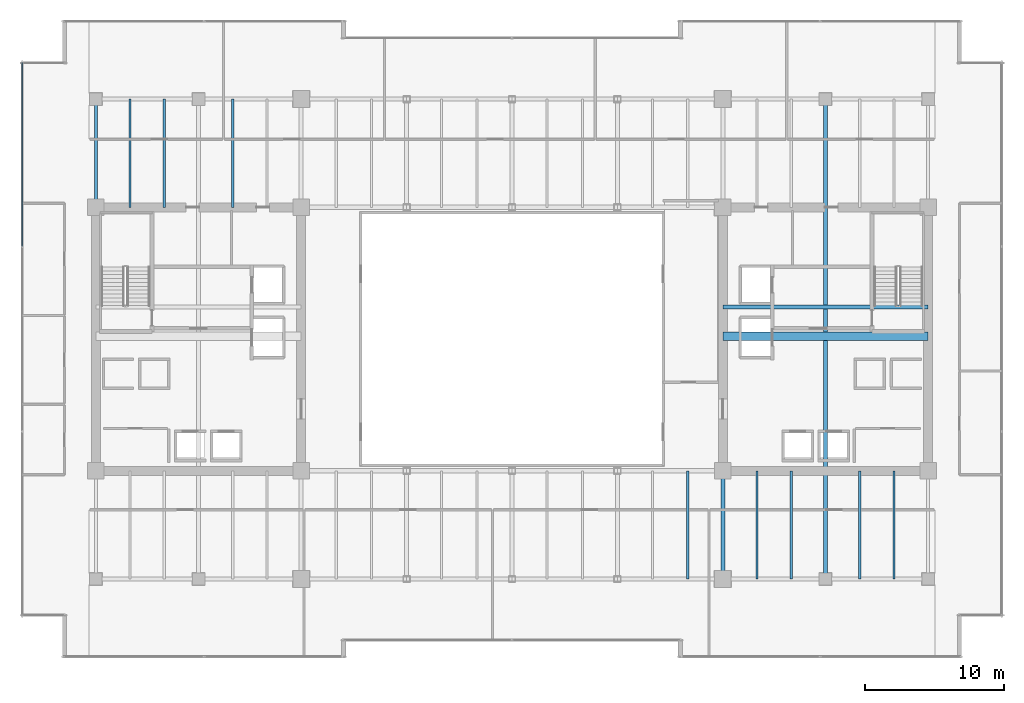
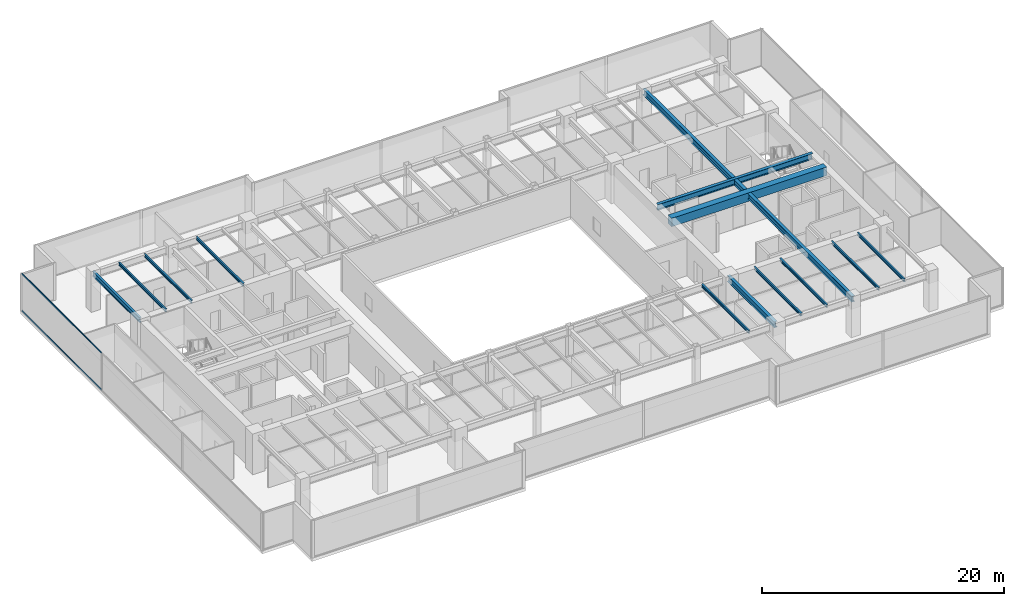
# One storey, part 13 of 34: 13 beams, 2 members, 1 element without a shape of its own.
"""IFC4 building model written with IfcOpenShell, lengths in metres."""

import ifcopenshell
import ifcopenshell.guid

model = None  # the IFC model being written
_history = None  # IfcOwnerHistory: only IFC2X3 demands one
_inside = {}  # id of a spatial element -> (the spatial element, [elements in it])
_under = {}  # id of a project, library or spatial element -> (it, [spatial elements below it])
_declared = {}  # id of a project -> (the project, [libraries it declares])
_typed = {}  # id of a type object -> (the type object, [elements of that type])
_made_of = {}  # id of a material, layer set ... -> (it, [elements and type objects made of it])


def new_model(schema):
    """Start an empty IFC model of exactly this schema.

    Asked for "IFC4X3", IfcOpenShell would pick the latest addendum, in which some entities
    have other attributes; the version numbers below select the first issue.
    IFC2X3 requires an IfcOwnerHistory on every rooted entity: one is made here for all.
    """
    global model, _history
    if schema == "IFC4X3":
        model = ifcopenshell.file(schema_version=(4, 3, 0, 0))
    else:
        model = ifcopenshell.file(schema=schema)
    _inside.clear()
    _under.clear()
    _declared.clear()
    _typed.clear()
    _made_of.clear()
    _history = None
    if model.schema == "IFC2X3":
        org = make("IfcOrganization", Name="unknown")
        user = make(
            "IfcPersonAndOrganization",
            ThePerson=make("IfcPerson", FamilyName="unknown"),
            TheOrganization=org,
        )
        app = make(
            "IfcApplication",
            ApplicationDeveloper=org,
            Version="unknown",
            ApplicationFullName="unknown",
            ApplicationIdentifier="unknown",
        )
        _history = make(
            "IfcOwnerHistory",
            OwningUser=user,
            OwningApplication=app,
            ChangeAction="ADDED",
            CreationDate=0,
        )
    return model


def make(cls, **values):
    """One entity of the class cls with the attributes given. An attribute that is None is left unset."""
    return model.create_entity(
        cls, **{name: value for name, value in values.items() if value is not None}
    )


def rooted(cls, **values):
    """An entity with a GlobalId (a new one), such as an element, a storey or a relation."""
    return make(cls, GlobalId=ifcopenshell.guid.new(), OwnerHistory=_history, **values)


def si_unit(unit_type, name, prefix=None):
    """IfcSIUnit, for example si_unit("LENGTHUNIT", "METRE", prefix="MILLI")."""
    return make("IfcSIUnit", UnitType=unit_type, Prefix=prefix, Name=name)


def assignment(units):
    """IfcUnitAssignment: the units of a project."""
    return None if units is None else make("IfcUnitAssignment", Units=units)


def point(xyz):
    """IfcCartesianPoint."""
    return None if xyz is None else make("IfcCartesianPoint", Coordinates=xyz)


def direction(xyz):
    """IfcDirection."""
    return None if xyz is None else make("IfcDirection", DirectionRatios=xyz)


def frame(location, z_axis=None, x_axis=None):
    """IfcAxis2Placement3D, a coordinate frame: its origin and axes. An axis left out is left unset."""
    return make(
        "IfcAxis2Placement3D",
        Location=point(location),
        Axis=direction(z_axis),
        RefDirection=direction(x_axis),
    )


def frame_2d(location, x_axis=None):
    """IfcAxis2Placement2D, a coordinate frame in the plane: its origin and x axis."""
    return make(
        "IfcAxis2Placement2D", Location=point(location), RefDirection=direction(x_axis)
    )


def origin():
    """The frame at (0, 0, 0) with its axes left unset."""
    return frame((0.0, 0.0, 0.0))


def origin_2d():
    """The frame at (0, 0) in the plane with its x axis left unset."""
    return frame_2d((0.0, 0.0))


def place(relative_to, where):
    """IfcLocalPlacement: puts the frame where relative to a parent placement (None: the world)."""
    return make(
        "IfcLocalPlacement", PlacementRelTo=relative_to, RelativePlacement=where
    )


def context(
    kind, dimensions, precision=None, world=None, true_north=None, identifier=None
):
    """IfcGeometricRepresentationContext, for example the 3D "Model" context."""
    return make(
        "IfcGeometricRepresentationContext",
        ContextIdentifier=identifier,
        ContextType=kind,
        CoordinateSpaceDimension=dimensions,
        Precision=precision,
        WorldCoordinateSystem=world,
        TrueNorth=true_north,
    )


def subcontext(parent, identifier, kind, view, scale=None):
    """IfcGeometricRepresentationSubContext, for example "Body" below "Model"."""
    return make(
        "IfcGeometricRepresentationSubContext",
        ContextIdentifier=identifier,
        ContextType=kind,
        ParentContext=parent,
        TargetScale=scale,
        TargetView=view,
    )


def project(units=None, contexts=None):
    """IfcProject with its units and contexts."""
    return rooted(
        "IfcProject",
        Name="project",
        RepresentationContexts=contexts,
        UnitsInContext=assignment(units),
    )


def spatial(cls, under=None, at=None, **own):
    """A site, building, storey or space (cls), placed at a placement, below another one or the project."""
    s = rooted(cls, ObjectPlacement=at, **own)
    if under is not None:
        _under.setdefault(under.id(), (under, []))[1].append(s)
    return s


def profile(cls, at=None, kind="AREA", **sizes):
    """A parametric profile (cls). Its sizes go by their IFC names, for example OverallWidth=200.0."""
    return make(cls, ProfileType=kind, Position=at, **sizes)


def rectangle(**sizes):
    """IfcRectangleProfileDef."""
    return profile("IfcRectangleProfileDef", **sizes)


def hollow_rectangle(**sizes):
    """IfcRectangleHollowProfileDef."""
    return profile("IfcRectangleHollowProfileDef", **sizes)


def i_section(**sizes):
    """IfcIShapeProfileDef."""
    return profile("IfcIShapeProfileDef", **sizes)


def extrude(swept, where, along, depth):
    """IfcExtrudedAreaSolid: the profile swept, set in the frame where, extruded along a direction by depth."""
    return make(
        "IfcExtrudedAreaSolid",
        SweptArea=swept,
        Position=where,
        ExtrudedDirection=direction(along),
        Depth=depth,
    )


def shape(context_of_items, identifier, shape_type, items):
    """IfcShapeRepresentation: the items that make up one representation, for example the "Body"."""
    return make(
        "IfcShapeRepresentation",
        ContextOfItems=context_of_items,
        RepresentationIdentifier=identifier,
        RepresentationType=shape_type,
        Items=items,
    )


def source(mapping_origin, context_of_items, identifier, shape_type, items):
    """IfcRepresentationMap: a shape defined once, which mapped items show again and again."""
    return make(
        "IfcRepresentationMap",
        MappingOrigin=mapping_origin,
        MappedRepresentation=shape(context_of_items, identifier, shape_type, items),
    )


def transform(
    local_origin,
    x_axis=None,
    y_axis=None,
    z_axis=None,
    scale=None,
    scale2=None,
    scale3=None,
    uniform=True,
):
    """IfcCartesianTransformationOperator3D, or its non-uniform kind. x_axis, y_axis, z_axis: its Axis1, 2, 3."""
    if uniform:
        return make(
            "IfcCartesianTransformationOperator3D",
            Axis1=direction(x_axis),
            Axis2=direction(y_axis),
            LocalOrigin=point(local_origin),
            Scale=scale,
            Axis3=direction(z_axis),
        )
    return make(
        "IfcCartesianTransformationOperator3DnonUniform",
        Axis1=direction(x_axis),
        Axis2=direction(y_axis),
        LocalOrigin=point(local_origin),
        Scale=scale,
        Axis3=direction(z_axis),
        Scale2=scale2,
        Scale3=scale3,
    )


def mapped(mapping_source, mapping_target):
    """IfcMappedItem: shows the shape of a source again, moved by a transform."""
    return make(
        "IfcMappedItem", MappingSource=mapping_source, MappingTarget=mapping_target
    )


def material(Name=None, Category=None):
    """IfcMaterial."""
    return make("IfcMaterial", Name=Name, Category=Category)


def layer(
    of_material, thickness, ventilated=None, Name=None, Category=None, Priority=None
):
    """IfcMaterialLayer: one layer of a wall or slab, of a material (None: an air gap)."""
    return make(
        "IfcMaterialLayer",
        Material=of_material,
        LayerThickness=thickness,
        IsVentilated=ventilated,
        Name=Name,
        Category=Category,
        Priority=Priority,
    )


def layer_set(layers, Name=None):
    """IfcMaterialLayerSet."""
    return make("IfcMaterialLayerSet", MaterialLayers=layers, LayerSetName=Name)


def material_profile(
    of_material, cross_section, Name=None, Category=None, Priority=None
):
    """IfcMaterialProfile: a cross section and its material."""
    return make(
        "IfcMaterialProfile",
        Name=Name,
        Material=of_material,
        Profile=cross_section,
        Priority=Priority,
        Category=Category,
    )


def profile_set(profiles, Name=None, composite=None):
    """IfcMaterialProfileSet."""
    return make(
        "IfcMaterialProfileSet",
        Name=Name,
        MaterialProfiles=profiles,
        CompositeProfile=composite,
    )


def made_of(thing, what):
    """Note that an element or type object is made of a material, layer set ...; save() writes the relation."""
    if what is not None:
        _made_of.setdefault(what.id(), (what, []))[1].append(thing)
    return thing


def type_object(cls, material=None, **own):
    """A type object (cls), such as IfcWallType, which elements share."""
    return made_of(rooted(cls, **own), material)


def type_shapes(of_type, sources):
    """Give a type object the sources (RepresentationMaps) that its elements show as mapped items."""
    of_type.RepresentationMaps = sources


def element(
    cls,
    number,
    at=None,
    inside=None,
    cuts=None,
    type_object=None,
    material=None,
    context=None,
    identifier="Body",
    shape_type=None,
    held_by="IfcProductDefinitionShape",
    body=None,
    shapes=None,
    **own,
):
    """One element of the class cls, such as IfcWall. Its Tag is "e" and its number.

    at: its placement. inside: the storey or other place that contains it. cuts: it is an
    opening in that element (IfcRelVoidsElement). A single representation is given by context,
    identifier, shape_type and body (its items); several are given by shapes. held_by: the class
    of the entity that holds the representations. save() writes the other relations.
    """
    e = rooted(cls, Tag="e%d" % number, ObjectPlacement=at, **own)
    if body is not None:
        shapes = [shape(context, identifier, shape_type, body)]
    if shapes is not None:
        e.Representation = make(held_by, Representations=shapes)
    if inside is not None:
        _inside.setdefault(inside.id(), (inside, []))[1].append(e)
    if cuts is not None:
        rooted(
            "IfcRelVoidsElement", RelatingBuildingElement=cuts, RelatedOpeningElement=e
        )
    if type_object is not None:
        _typed.setdefault(type_object.id(), (type_object, []))[1].append(e)
    return made_of(e, material)


def aggregate(whole, parts):
    """IfcRelAggregates: a whole, such as a stair, and the parts it consists of."""
    return rooted("IfcRelAggregates", RelatingObject=whole, RelatedObjects=parts)


def save(model, path):
    """Write the relations noted so far, then the file.

    IfcRelAggregates (storeys below a building ...), IfcRelContainedInSpatialStructure (elements
    in a storey), IfcRelDefinesByType, IfcRelAssociatesMaterial and IfcRelDeclares: one each for
    every whole, place, type object, material and project.
    """
    for whole, parts in _under.values():
        aggregate(whole, parts)
    for where, things in _inside.values():
        rooted(
            "IfcRelContainedInSpatialStructure",
            RelatedElements=things,
            RelatingStructure=where,
        )
    for kind, things in _typed.values():
        rooted("IfcRelDefinesByType", RelatedObjects=things, RelatingType=kind)
    for what, things in _made_of.values():
        rooted("IfcRelAssociatesMaterial", RelatedObjects=things, RelatingMaterial=what)
    for by, libraries in _declared.values():
        rooted("IfcRelDeclares", RelatingContext=by, RelatedDefinitions=libraries)
    model.write(path)


model = new_model("IFC4")

# Units and contexts
model_context = context("Model", 3, precision=1e-05, world=origin(), true_north=direction((0.0, 1.0)))
body_context = subcontext(model_context, "Body", "Model", "MODEL_VIEW")
ifc_project = project(units=[si_unit("LENGTHUNIT", "METRE"), si_unit("AREAUNIT", "SQUARE_METRE"), si_unit("VOLUMEUNIT", "CUBIC_METRE"), si_unit("PLANEANGLEUNIT", "RADIAN"), si_unit("MASSUNIT", "GRAM", prefix="KILO")], contexts=[model_context])

# Site, building, storey
site_placement = place(None, origin())
site = spatial("IfcSite", under=ifc_project, at=site_placement, CompositionType="ELEMENT")
building_placement = place(site_placement, origin())
building = spatial("IfcBuilding", under=site, at=building_placement, Name="Haelvirn Gate Laboratories", CompositionType="ELEMENT")
storey_placement = place(building_placement, frame((0.0, 0.0, 178.89990234375)))
storey = spatial("IfcBuildingStorey", under=building, at=storey_placement, Name="L43", CompositionType="ELEMENT", Elevation=178.89990234375)

# Beams
ifc_material_1 = material(Name="Steel SM355", Category="steel")
ifc_material_profile_1 = material_profile(ifc_material_1, i_section(OverallWidth=0.300048828125, OverallDepth=0.587890625, WebThickness=0.011962890625, FlangeThickness=0.02001953125, at=origin_2d()), Name="H-588x300x12x20")
ifc_profile_set_1 = profile_set([ifc_material_profile_1], Name="Steel SM355")
beam_type_1 = type_object("IfcBeamType", Name="BM-G-588", PredefinedType="BEAM", material=ifc_profile_set_1)
shared_shape_1 = source(origin(), body_context, "Body", "SweptSolid", [
    extrude(i_section(OverallWidth=0.300048828125, OverallDepth=0.587890625, WebThickness=0.011962890625, FlangeThickness=0.02001953125, at=origin_2d()), origin(), (0.0, 0.0, 1.0), 14.7998046875),
])
beam_1_placement = place(storey_placement, frame((52.60009765625, 26.6201171875, 3.49609375), z_axis=(1.0, 0.0, 0.0), x_axis=(0.0, 1.0, 0.0)))
element("IfcBeam", 1, at=beam_1_placement, inside=storey, type_object=beam_type_1, Name="L43 Stair ST2 Landing Header", PredefinedType="BEAM", context=body_context, shape_type="MappedRepresentation", body=[
    mapped(shared_shape_1, transform((0.0, 0.0, 0.0), scale=1.0)),
])
ifc_material_profile_2 = material_profile(ifc_material_1, i_section(OverallWidth=0.199951171875, OverallDepth=0.5, WebThickness=0.010009765625, FlangeThickness=0.01611328125, at=origin_2d()), Name="H-500x200x10x16")
ifc_profile_set_2 = profile_set([ifc_material_profile_2], Name="Steel SM355")
beam_type_2 = type_object("IfcBeamType", Name="BM-SP-500", PredefinedType="SPANDREL", material=ifc_profile_set_2)
shared_shape_2 = source(origin(), body_context, "Body", "SweptSolid", [
    extrude(i_section(OverallWidth=0.199951171875, OverallDepth=0.5, WebThickness=0.010009765625, FlangeThickness=0.01611328125, at=origin_2d()), origin(), (0.0, 0.0, 1.0), 7.800048828125),
])
type_shapes(beam_type_2, [shared_shape_2])
beam_2_placement = place(storey_placement, frame((7.39990234375, 33.800048828125, 3.5400390625), z_axis=(0.0, 1.0, 0.0), x_axis=(-1.0, 0.0, 0.0)))
element("IfcBeam", 2, at=beam_2_placement, inside=storey, type_object=beam_type_2, Name="L43 Perimeter Spandrel X7.4 (33.8-41.6)", PredefinedType="SPANDREL", context=body_context, shape_type="MappedRepresentation", body=[
    mapped(shared_shape_2, transform((0.0, 0.0, 0.0), scale=1.0)),
])
ifc_material_profile_3 = material_profile(ifc_material_1, i_section(OverallWidth=0.14990234375, OverallDepth=0.300048828125, WebThickness=0.006591796875, FlangeThickness=0.009033203125, at=origin_2d()), Name="H-300x150x6.5x9")
ifc_profile_set_3 = profile_set([ifc_material_profile_3], Name="Steel SM355")
beam_type_3 = type_object("IfcBeamType", Name="BM-J-300", PredefinedType="JOIST", material=ifc_profile_set_3)
shared_shape_3 = source(origin(), body_context, "Body", "SweptSolid", [
    extrude(i_section(OverallWidth=0.14990234375, OverallDepth=0.300048828125, WebThickness=0.006591796875, FlangeThickness=0.009033203125, at=origin_2d()), origin(), (0.0, 0.0, 1.0), 7.800048828125),
])
type_shapes(beam_type_3, [shared_shape_3])
for number, where, z_axis, x_axis, name in (
    (3, (9.8701171875, 33.800048828125, 3.64013671875), (0.0, 1.0, 0.0), (-1.0, 0.0, 0.0), "L43 Composite Lab Joist North X9.87"),
    (4, (12.330078125, 33.800048828125, 3.64013671875), (0.0, 1.0, 0.0), (-1.0, 0.0, 0.0), "L43 Composite Lab Joist North X12.33"),
    (5, (17.27001953125, 33.800048828125, 3.64013671875), (0.0, 1.0, 0.0), (-1.0, 0.0, 0.0), "L43 Composite Lab Joist North X17.27"),
    (6, (50.070068359375, 7.0, 3.64013671875), (0.0, 1.0, 0.0), (-1.0, 0.0, 0.0), "L43 Composite Lab Joist South X50.07"),
    (7, (55.070068359375, 7.0, 3.64013671875), (0.0, 1.0, 0.0), (-1.0, 0.0, 0.0), "L43 Composite Lab Joist South X55.07"),
    (8, (57.530029296875, 7.0, 3.64013671875), (0.0, 1.0, 0.0), (-1.0, 0.0, 0.0), "L43 Composite Lab Joist South X57.53"),
    (9, (62.469970703125, 7.0, 3.64013671875), (0.0, 1.0, 0.0), (-1.0, 0.0, 0.0), "L43 Composite Lab Joist South X62.47"),
    (10, (64.929931640625, 7.0, 3.64013671875), (0.0, 1.0, 0.0), (-1.0, 0.0, 0.0), "L43 Composite Lab Joist South X64.93"),
):
    element("IfcBeam", number, at=place(storey_placement, frame(where, z_axis=z_axis, x_axis=x_axis)), inside=storey, type_object=beam_type_3, Name=name, PredefinedType="JOIST", context=body_context, shape_type="MappedRepresentation", body=[
        mapped(shared_shape_3, transform((0.0, 0.0, 0.0), scale=1.0)),
    ])
shared_shape_4 = source(origin(), body_context, "Body", "SweptSolid", [
    extrude(i_section(OverallWidth=0.300048828125, OverallDepth=0.587890625, WebThickness=0.011962890625, FlangeThickness=0.02001953125, at=origin_2d()), origin(), (0.0, 0.0, 1.0), 34.60009765625),
])
beam_3_placement = place(storey_placement, frame((60.0, 7.0, 3.49609375), z_axis=(0.0, 1.0, 0.0), x_axis=(-1.0, 0.0, 0.0)))
element("IfcBeam", 11, at=beam_3_placement, inside=storey, type_object=beam_type_1, Name="L43 Frame Girder X60.0 (7.0-41.6)", PredefinedType="BEAM", context=body_context, shape_type="MappedRepresentation", body=[
    mapped(shared_shape_4, transform((0.0, 0.0, 0.0), scale=1.0)),
])
shared_shape_5 = source(origin(), body_context, "Body", "SweptSolid", [
    extrude(i_section(OverallWidth=0.300048828125, OverallDepth=0.587890625, WebThickness=0.011962890625, FlangeThickness=0.02001953125, at=origin_2d()), origin(), (0.0, 0.0, 1.0), 7.800048828125),
])
type_shapes(beam_type_1, [shared_shape_1, shared_shape_4, shared_shape_5])
beam_4_placement = place(storey_placement, frame((52.60009765625, 7.0, 3.49609375), z_axis=(0.0, 1.0, 0.0), x_axis=(-1.0, 0.0, 0.0)))
element("IfcBeam", 12, at=beam_4_placement, inside=storey, type_object=beam_type_1, Name="L43 Frame Girder X52.6 (7.0-14.8)", PredefinedType="BEAM", context=body_context, shape_type="MappedRepresentation", body=[
    mapped(shared_shape_5, transform((0.0, 0.0, 0.0), scale=1.0)),
])
ifc_material_2 = material(Name="Concrete C50/60", Category="concrete")
ifc_material_profile_4 = material_profile(ifc_material_2, rectangle(XDim=0.60009765625, YDim=0.85009765625, at=origin_2d()), Name="RCB-600x850")
ifc_profile_set_4 = profile_set([ifc_material_profile_4], Name="Concrete C50/60")
beam_type_4 = type_object("IfcBeamType", Name="BM-RCB-850", PredefinedType="LINTEL", material=ifc_profile_set_4)
shared_shape_6 = source(origin(), body_context, "Body", "SweptSolid", [
    extrude(rectangle(XDim=0.60009765625, YDim=0.85009765625, at=origin_2d()), origin(), (0.0, 0.0, 1.0), 14.7998046875),
])
type_shapes(beam_type_4, [shared_shape_6])
beam_5_placement = place(storey_placement, frame((52.60009765625, 24.5, 3.364990234375), z_axis=(1.0, 0.0, 0.0), x_axis=(0.0, 1.0, 0.0)))
element("IfcBeam", 13, at=beam_5_placement, inside=storey, type_object=beam_type_4, Name="L43 East Core Coupling Beam", PredefinedType="LINTEL", context=body_context, shape_type="MappedRepresentation", body=[
    mapped(shared_shape_6, transform((0.0, 0.0, 0.0), scale=1.0)),
])

# Curtain wall, members
ifc_material_3 = material(Name="Anodised bronze unitised aluminium & triple low-E glass", Category="aluminium")
ifc_layer = layer(ifc_material_3, 0.179931640625, Name="CW-SYS-3")
ifc_layer_set = layer_set([ifc_layer], Name="Anodised bronze unitised aluminium & triple low-E glass")
curtain_wall_type = type_object("IfcCurtainWallType", Name="CW-SYS-3", PredefinedType="NOTDEFINED", material=ifc_layer_set)
curtain_wall_placement = place(storey_placement, origin())
curtain_wall = element("IfcCurtainWall", 14, at=curtain_wall_placement, inside=storey, type_object=curtain_wall_type, Name="L43 Unitised Curtain Wall CW-L43-P0-E17", PredefinedType="NOTDEFINED")
ifc_material_4 = material(Name="Extruded aluminium 6063-T6 (anodised bronze)", Category="aluminium")
ifc_material_profile_5 = material_profile(ifc_material_4, hollow_rectangle(XDim=0.06494140625, YDim=0.139892578125, WallThickness=0.00390625, at=origin_2d()), Name="CWT-140x65x4")
ifc_profile_set_5 = profile_set([ifc_material_profile_5], Name="Extruded aluminium 6063-T6 (anodised bronze)")
member_type = type_object("IfcMemberType", Name="CWT-T140", PredefinedType="USERDEFINED", material=ifc_profile_set_5)
shared_shape_7 = source(origin(), body_context, "Body", "SweptSolid", [
    extrude(hollow_rectangle(XDim=0.06494140625, YDim=0.139892578125, WallThickness=0.00390625, at=origin_2d()), origin(), (0.0, 0.0, 1.0), 13.220947265625),
])
type_shapes(member_type, [shared_shape_7])
member_1_placement = place(storey_placement, frame((2.10009765625, 44.22509765625, 0.03271484375), z_axis=(0.0, -1.0, 0.0), x_axis=(1.0, 0.0, 0.0)))
member_1 = element("IfcMember", 15, at=member_1_placement, type_object=member_type, Name="CW3 transom 1.1", ObjectType="TRANSOM", PredefinedType="USERDEFINED", context=body_context, shape_type="MappedRepresentation", body=[
    mapped(shared_shape_7, transform((0.0, 0.0, 0.0), scale=1.0)),
])
member_2_placement = place(storey_placement, frame((2.10009765625, 44.22509765625, 3.757568359375), z_axis=(0.0, -1.0, 0.0), x_axis=(1.0, 0.0, 0.0)))
member_2 = element("IfcMember", 16, at=member_2_placement, type_object=member_type, Name="CW3 transom 1.2", ObjectType="TRANSOM", PredefinedType="USERDEFINED", context=body_context, shape_type="MappedRepresentation", body=[
    mapped(shared_shape_7, transform((0.0, 0.0, 0.0), scale=1.0)),
])
aggregate(curtain_wall, [member_1, member_2])

save(model, "model.ifc")
